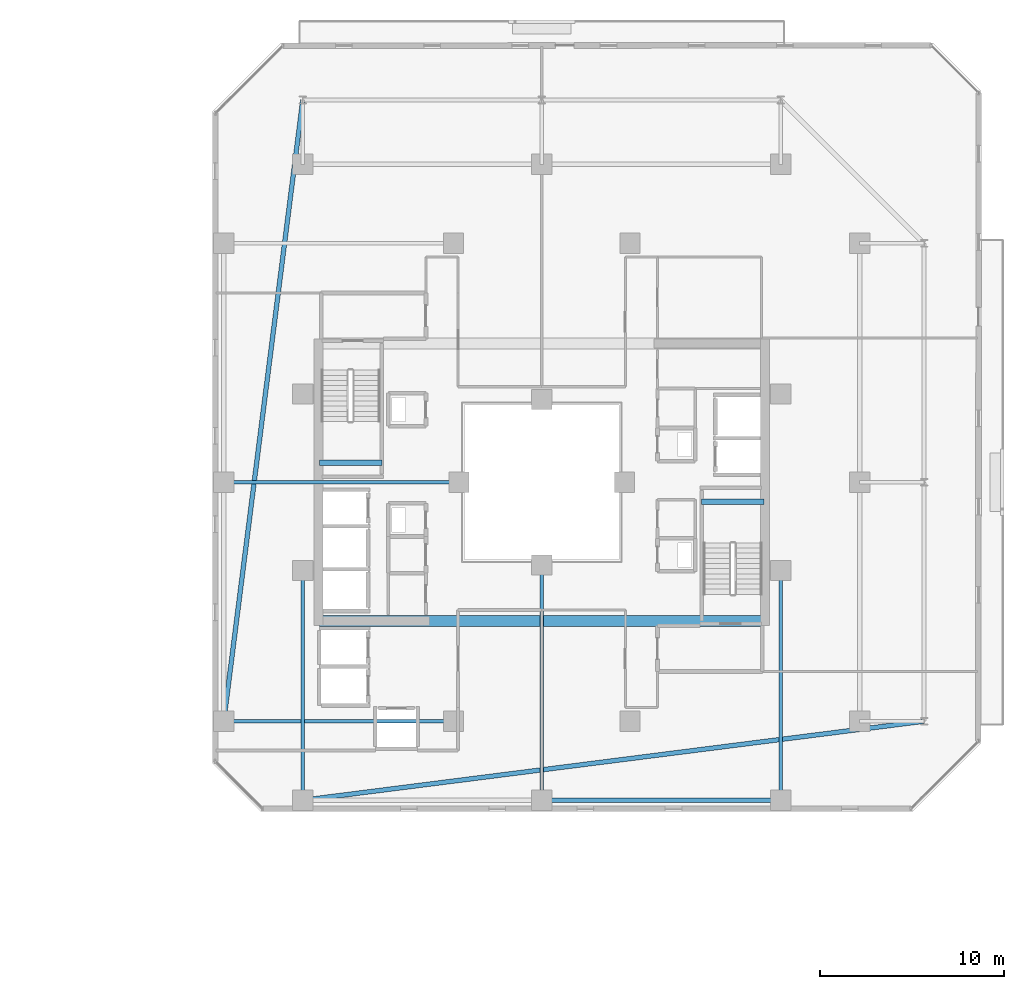
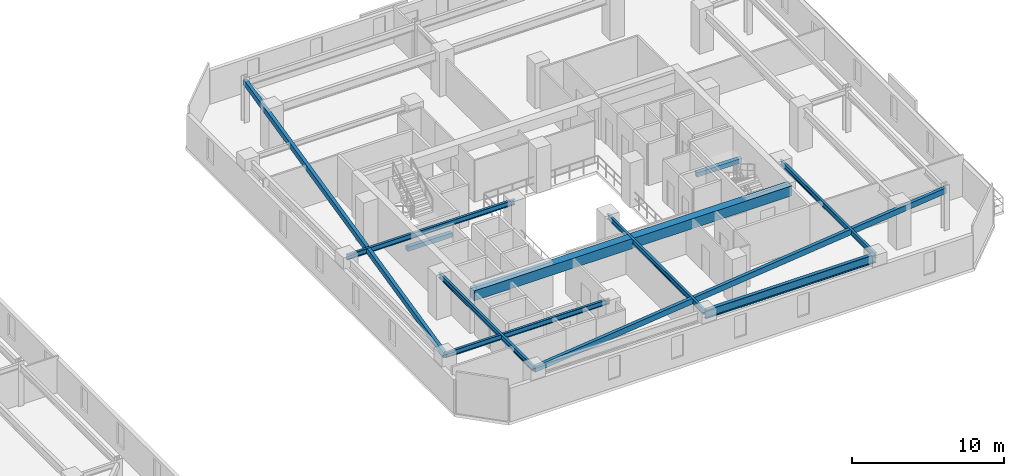
# One storey, part 13 of 32: 11 beams.
"""IFC4 building model written with IfcOpenShell, lengths in metres."""

from ifc_helpers import new_model, si_unit, direction, frame, origin, origin_2d, place, context, subcontext, project, spatial, rectangle, hollow_rectangle, i_section, extrude, material, material_profile, profile_set, type_object, element, save


model = new_model("IFC4")

# Units and contexts
model_context = context("Model", 3, precision=1e-05, world=origin(), true_north=direction((0.0, 1.0)))
body_context = subcontext(model_context, "Body", "Model", "MODEL_VIEW")
ifc_project = project(units=[si_unit("LENGTHUNIT", "METRE"), si_unit("AREAUNIT", "SQUARE_METRE"), si_unit("VOLUMEUNIT", "CUBIC_METRE"), si_unit("PLANEANGLEUNIT", "RADIAN"), si_unit("MASSUNIT", "GRAM", prefix="KILO")], contexts=[model_context])

# Site, building, storey
site_placement = place(None, origin())
site = spatial("IfcSite", under=ifc_project, at=site_placement, CompositionType="ELEMENT")
building_placement = place(site_placement, origin())
building = spatial("IfcBuilding", under=site, at=building_placement, Name="Thornwick Lancets Civic Towers", CompositionType="ELEMENT")
storey_placement = place(building_placement, frame((0.0, 0.0, 156.300048828125)))
storey = spatial("IfcBuildingStorey", under=building, at=storey_placement, Name="L41", CompositionType="ELEMENT", Elevation=156.300048828125)

# Beams
ifc_material_1 = material(Name="Concrete C60/75", Category="concrete")
ifc_material_profile_1 = material_profile(ifc_material_1, rectangle(XDim=0.60009765625, YDim=0.800048828125, at=origin_2d()), Name="RC 600x800")
ifc_profile_set_1 = profile_set([ifc_material_profile_1], Name="Concrete C60/75")
beam_type_1 = type_object("IfcBeamType", Name="BM_COUP_RC800", PredefinedType="BEAM", material=ifc_profile_set_1)
beam_1_placement = place(storey_placement, frame((76.39990234375, 19.449951171875, 2.9599609375), z_axis=(1.0, 0.0, 0.0), x_axis=(0.0, 1.0, 0.0)))
element("IfcBeam", 1, at=beam_1_placement, inside=storey, type_object=beam_type_1, Name="CB-L41-B2", PredefinedType="BEAM", context=body_context, shape_type="SweptSolid", body=[
    extrude(rectangle(XDim=0.60009765625, YDim=0.800048828125, at=origin_2d()), origin(), (0.0, 0.0, 1.0), 24.2001953125),
])
ifc_material_2 = material(Name="Steel S355JR", Category="steel")
ifc_material_profile_2 = material_profile(ifc_material_2, i_section(OverallWidth=0.255859375, OverallDepth=0.69287109375, WebThickness=0.014404296875, FlangeThickness=0.023681640625, FilletRadius=0.01513671875, at=origin_2d()), Name="UKB 686x254x170")
ifc_profile_set_2 = profile_set([ifc_material_profile_2], Name="Steel S355JR")
beam_type_2 = type_object("IfcBeamType", Name="BM_GIRD_686_170", PredefinedType="BEAM", material=ifc_profile_set_2)
beam_2_placement = place(storey_placement, frame((101.5, 9.699951171875, 3.013427734375), z_axis=(-1.0, 0.0, 0.0), x_axis=(0.0, -1.0, 0.0)))
element("IfcBeam", 2, at=beam_2_placement, inside=storey, type_object=beam_type_2, Name="BM-SPINE-L41-B-9-10", PredefinedType="BEAM", context=body_context, shape_type="SweptSolid", body=[
    extrude(i_section(OverallWidth=0.255859375, OverallDepth=0.69287109375, WebThickness=0.014404296875, FlangeThickness=0.023681640625, FilletRadius=0.01513671875, at=origin_2d()), origin(), (0.0, 0.0, 1.0), 13.0),
])
ifc_material_profile_3 = material_profile(ifc_material_2, i_section(OverallWidth=0.179443359375, OverallDepth=0.412841796875, WebThickness=0.009521484375, FlangeThickness=0.01611328125, FilletRadius=0.01025390625, at=origin_2d()), Name="UKB 406x178x74")
ifc_profile_set_3 = profile_set([ifc_material_profile_3], Name="Steel S355JR")
beam_type_3 = type_object("IfcBeamType", Name="BM_JOIST_406_74", PredefinedType="JOIST", material=ifc_profile_set_3)
beam_3_placement = place(storey_placement, frame((83.699951171875, 14.0, 3.153564453125), z_axis=(-1.0, 0.0, 0.0), x_axis=(0.0, -1.0, 0.0)))
element("IfcBeam", 3, at=beam_3_placement, inside=storey, type_object=beam_type_3, Name="BM-RADIN-L41-B07", PredefinedType="JOIST", context=body_context, shape_type="SweptSolid", body=[
    extrude(i_section(OverallWidth=0.179443359375, OverallDepth=0.412841796875, WebThickness=0.009521484375, FlangeThickness=0.01611328125, FilletRadius=0.01025390625, at=origin_2d()), origin(), (0.0, 0.0, 1.0), 12.5),
])
beam_4_placement = place(storey_placement, frame((84.0, 27.0, 3.153564453125), z_axis=(-1.0, 0.0, 0.0), x_axis=(0.0, -1.0, 0.0)))
element("IfcBeam", 4, at=beam_4_placement, inside=storey, type_object=beam_type_3, Name="BM-RADIN-L41-B08", PredefinedType="JOIST", context=body_context, shape_type="SweptSolid", body=[
    extrude(i_section(OverallWidth=0.179443359375, OverallDepth=0.412841796875, WebThickness=0.009521484375, FlangeThickness=0.01611328125, FilletRadius=0.01025390625, at=origin_2d()), origin(), (0.0, 0.0, 1.0), 12.800048828125),
])
beam_5_placement = place(storey_placement, frame((101.5, 22.199951171875, 3.153564453125), z_axis=(0.0, -1.0, 0.0), x_axis=(1.0, 0.0, 0.0)))
element("IfcBeam", 5, at=beam_5_placement, inside=storey, type_object=beam_type_3, Name="BM-RADIN-L41-B10", PredefinedType="JOIST", context=body_context, shape_type="SweptSolid", body=[
    extrude(i_section(OverallWidth=0.179443359375, OverallDepth=0.412841796875, WebThickness=0.009521484375, FlangeThickness=0.01611328125, FilletRadius=0.01025390625, at=origin_2d()), origin(), (0.0, 0.0, 1.0), 12.5),
])
beam_6_placement = place(storey_placement, frame((88.5, 22.5, 3.153564453125), z_axis=(0.0, -1.0, 0.0), x_axis=(1.0, 0.0, 0.0)))
element("IfcBeam", 6, at=beam_6_placement, inside=storey, type_object=beam_type_3, Name="BM-RADIN-L41-B11", PredefinedType="JOIST", context=body_context, shape_type="SweptSolid", body=[
    extrude(i_section(OverallWidth=0.179443359375, OverallDepth=0.412841796875, WebThickness=0.009521484375, FlangeThickness=0.01611328125, FilletRadius=0.01025390625, at=origin_2d()), origin(), (0.0, 0.0, 1.0), 12.800048828125),
])
beam_7_placement = place(storey_placement, frame((75.5, 22.199951171875, 3.153564453125), z_axis=(0.0, -1.0, 0.0), x_axis=(1.0, 0.0, 0.0)))
element("IfcBeam", 7, at=beam_7_placement, inside=storey, type_object=beam_type_3, Name="BM-RADIN-L41-B12", PredefinedType="JOIST", context=body_context, shape_type="SweptSolid", body=[
    extrude(i_section(OverallWidth=0.179443359375, OverallDepth=0.412841796875, WebThickness=0.009521484375, FlangeThickness=0.01611328125, FilletRadius=0.01025390625, at=origin_2d()), origin(), (0.0, 0.0, 1.0), 12.5),
])
ifc_material_profile_4 = material_profile(ifc_material_2, hollow_rectangle(XDim=0.25, YDim=0.449951171875, WallThickness=0.01611328125, at=origin_2d()), Name="RHS 450x250x16")
ifc_profile_set_4 = profile_set([ifc_material_profile_4], Name="Steel S355JR")
beam_type_4 = type_object("IfcBeamType", Name="BM_RING_RHS450", PredefinedType="BEAM", material=ifc_profile_set_4)
for number, where, z_axis, x_axis, name in (
    (8, (75.5, 47.800048828125, 3.135009765625), (-0.126202998662, -0.992004437051, 0.0), (0.992004437051, -0.126202998662, 0.0), "BM-CHAMF-L41-B-C1"),
    (9, (75.5, 9.699951171875, 3.135009765625), (0.992004437051, 0.126202998662, 0.0), (-0.126202998662, 0.992004437051, 0.0), "BM-CHAMF-L41-B-C3"),
):
    element("IfcBeam", number, at=place(storey_placement, frame(where, z_axis=z_axis, x_axis=x_axis)), inside=storey, type_object=beam_type_4, Name=name, PredefinedType="BEAM", context=body_context, shape_type="SweptSolid", body=[
        extrude(hollow_rectangle(XDim=0.25, YDim=0.449951171875, WallThickness=0.01611328125, at=origin_2d()), origin(), (0.0, 0.0, 1.0), 34.072509765625),
    ])
ifc_material_3 = material(Name="Concrete C40/50", Category="concrete")
ifc_material_profile_5 = material_profile(ifc_material_3, rectangle(XDim=0.300048828125, YDim=0.35009765625, at=origin_2d()), Name="RC 300x350")
ifc_profile_set_5 = profile_set([ifc_material_profile_5], Name="Concrete C40/50")
beam_type_5 = type_object("IfcBeamType", Name="BM_STAIR_LDG", PredefinedType="BEAM", material=ifc_profile_set_5)
for number, where, z_axis, x_axis, name in (
    (10, (100.60009765625, 25.93505859375, 1.3779296875), (-1.0, 0.0, 0.0), (0.0, -1.0, 0.0), "L41 ST-B1 Landing Support Beam 1"),
    (11, (76.39990234375, 28.06494140625, 1.3779296875), (1.0, 0.0, 0.0), (0.0, 1.0, 0.0), "L41 ST-B2 Landing Support Beam 1"),
):
    element("IfcBeam", number, at=place(storey_placement, frame(where, z_axis=z_axis, x_axis=x_axis)), inside=storey, type_object=beam_type_5, Name=name, PredefinedType="BEAM", context=body_context, shape_type="SweptSolid", body=[
        extrude(rectangle(XDim=0.300048828125, YDim=0.35009765625, at=origin_2d()), origin(), (0.0, 0.0, 1.0), 3.400146484375),
    ])

save(model, "model.ifc")
